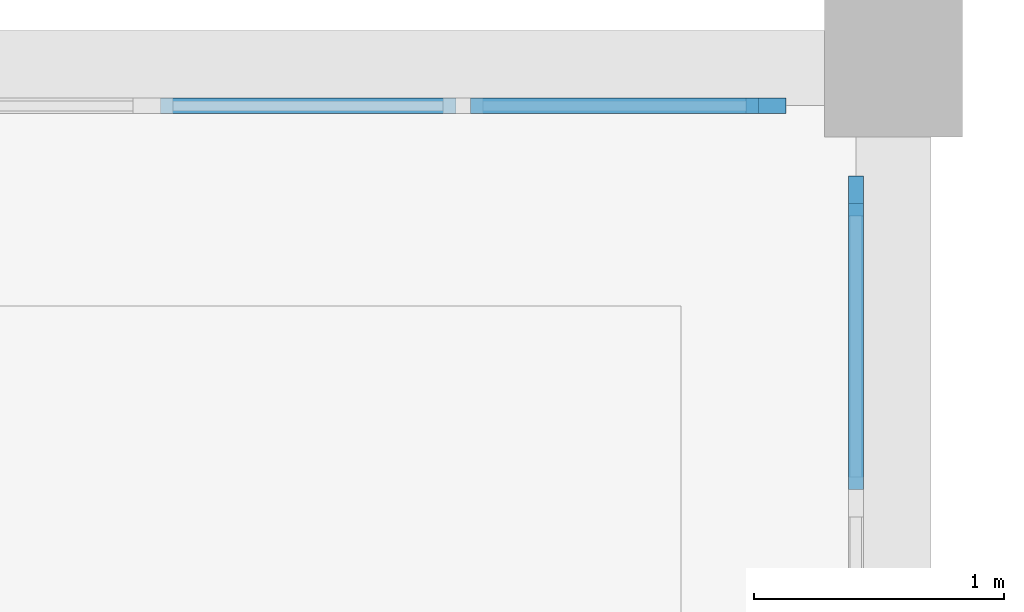
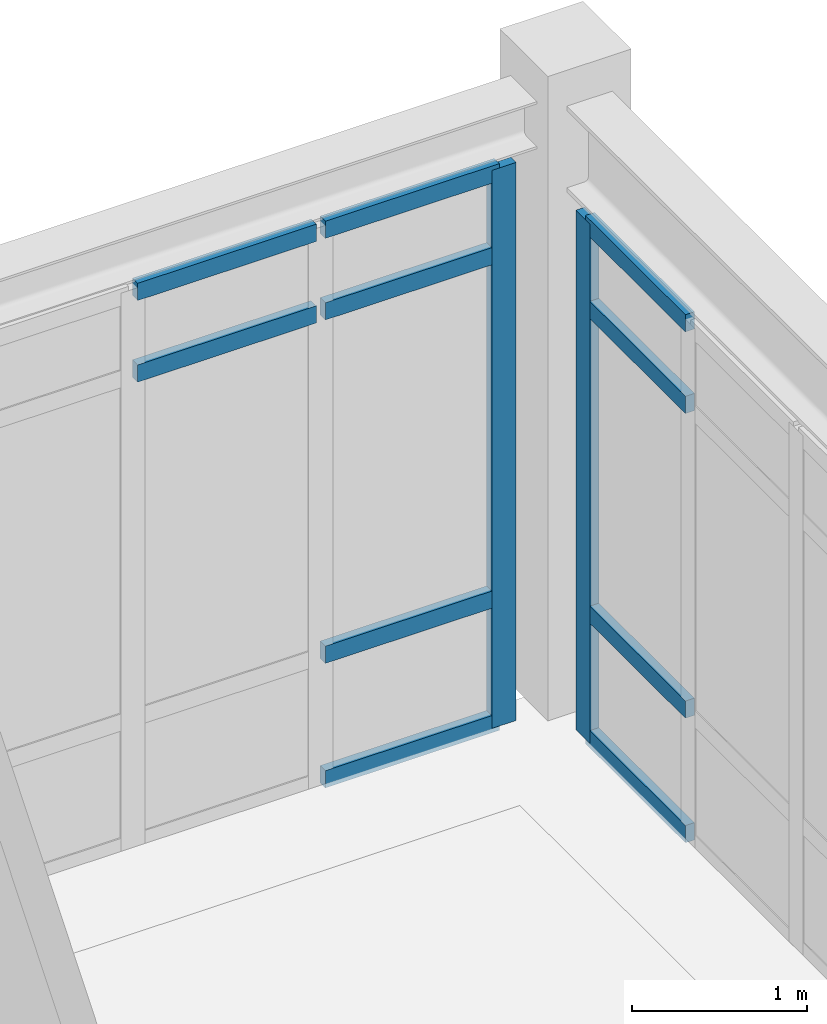
# One storey, part 63 of 106: 12 members, 2 elements without a shape of their own.
"""IFC4 building model written with IfcOpenShell, lengths in metres."""

from ifc_helpers import new_model, si_unit, derived_unit, direction, frame, origin, origin_2d, place, context, subcontext, project, spatial, rectangle, extrude, material, layer, layer_set, material_profile, profile_set, type_object, element, aggregate, save


model = new_model("IFC4")

# Units and contexts
model_context = context("Model", 3, precision=1e-05, world=origin(), true_north=direction((0.0, 1.0)))
body_context = subcontext(model_context, "Body", "Model", "MODEL_VIEW")
ifc_project = project(units=[si_unit("LENGTHUNIT", "METRE"), si_unit("AREAUNIT", "SQUARE_METRE"), si_unit("VOLUMEUNIT", "CUBIC_METRE"), si_unit("PLANEANGLEUNIT", "RADIAN"), si_unit("MASSUNIT", "GRAM", prefix="KILO"), derived_unit("THERMALTRANSMITTANCEUNIT", [(si_unit("POWERUNIT", "WATT"), 1), (si_unit("AREAUNIT", "SQUARE_METRE"), -1), (si_unit("THERMODYNAMICTEMPERATUREUNIT", "KELVIN"), -1)])], contexts=[model_context])

# Site, building, storey
site_placement = place(None, origin())
site = spatial("IfcSite", under=ifc_project, at=site_placement, CompositionType="ELEMENT")
building_placement = place(site_placement, origin())
building = spatial("IfcBuilding", under=site, at=building_placement, Name="Yasenodar Specialist Clinic", CompositionType="ELEMENT")
storey_placement = place(building_placement, frame((0.0, 0.0, 4.5)))
storey = spatial("IfcBuildingStorey", under=building, at=storey_placement, Name="L01", CompositionType="ELEMENT", Elevation=4.5)

# Curtain wall, member
ifc_material_1 = material(Name="Bronze Anodized Aluminium and Triple Low-E Glass", Category="aluminium")
ifc_layer = layer(ifc_material_1, 0.178955078125)
ifc_layer_set = layer_set([ifc_layer], Name="Bronze Anodized Aluminium and Triple Low-E Glass")
curtain_wall_type = type_object("IfcCurtainWallType", Name="CW-SYS-02", PredefinedType="USERDEFINED", material=ifc_layer_set)
curtain_wall_1_placement = place(storey_placement, origin())
curtain_wall_1 = element("IfcCurtainWall", 1, at=curtain_wall_1_placement, inside=storey, type_object=curtain_wall_type, Name="L01 Unitised Curtain Wall 098", ObjectType="UNITISED CURTAIN WALL", PredefinedType="USERDEFINED")
ifc_material_2 = material(Name="Bronze Anodized Aluminium", Category="aluminium")
ifc_material_profile_1 = material_profile(ifc_material_2, rectangle(XDim=0.06005859375, YDim=0.159912109375, at=origin_2d()), Name="CW-MULL 60x160")
ifc_profile_set_1 = profile_set([ifc_material_profile_1], Name="Bronze Anodized Aluminium")
member_type_1 = type_object("IfcMemberType", Name="CW-MULL-160", PredefinedType="MULLION", material=ifc_profile_set_1)
member_1_placement = place(storey_placement, frame((138.090087890625, 34.64990234375, 0.0), z_axis=(0.0, 0.0, 1.0), x_axis=(0.0, 1.0, 0.0)))
member_1 = element("IfcMember", 2, at=member_1_placement, type_object=member_type_1, Name="CW-02 mullion 7", PredefinedType="MULLION", context=body_context, shape_type="SweptSolid", body=[
    extrude(rectangle(XDim=0.06005859375, YDim=0.159912109375, at=origin_2d()), origin(), (0.0, 0.0, 1.0), 3.89794921875),
])

curtain_wall_2_placement = place(storey_placement, origin())
curtain_wall_2 = element("IfcCurtainWall", 3, at=curtain_wall_2_placement, inside=storey, type_object=curtain_wall_type, Name="L01 Unitised Curtain Wall 099", ObjectType="UNITISED CURTAIN WALL", PredefinedType="USERDEFINED")
member_2_placement = place(storey_placement, frame((138.449951171875, 34.2900390625, 0.0), z_axis=(0.0, 0.0, 1.0), x_axis=(1.0, 0.0, 0.0)))
member_2 = element("IfcMember", 4, at=member_2_placement, type_object=member_type_1, Name="CW-02 mullion 1", PredefinedType="MULLION", context=body_context, shape_type="SweptSolid", body=[
    extrude(rectangle(XDim=0.06005859375, YDim=0.159912109375, at=origin_2d()), origin(), (0.0, 0.0, 1.0), 3.6279296875),
])

# Member
ifc_material_profile_2 = material_profile(ifc_material_2, rectangle(XDim=0.06005859375, YDim=0.1201171875, at=origin_2d()), Name="CW-TRAN 60x120")
ifc_profile_set_2 = profile_set([ifc_material_profile_2], Name="Bronze Anodized Aluminium")
member_type_2 = type_object("IfcMemberType", Name="CW-TRAN-120", PredefinedType="USERDEFINED", material=ifc_profile_set_2)
member_3_placement = place(storey_placement, frame((135.669921875, 34.64990234375, 3.298095703125), z_axis=(1.0, 0.0, 0.0), x_axis=(0.0, 1.0, 0.0)))
member_3 = element("IfcMember", 5, at=member_3_placement, type_object=member_type_2, Name="CW-02 transom 5.3", ObjectType="TRANSOM", PredefinedType="USERDEFINED", context=body_context, shape_type="SweptSolid", body=[
    extrude(rectangle(XDim=0.06005859375, YDim=0.1201171875, at=origin_2d()), origin(), (0.0, 0.0, 1.0), 1.18017578125),
])

member_4_placement = place(storey_placement, frame((135.669921875, 34.64990234375, 3.867919921875), z_axis=(1.0, 0.0, 0.0), x_axis=(0.0, 1.0, 0.0)))
member_4 = element("IfcMember", 6, at=member_4_placement, type_object=member_type_2, Name="CW-02 transom 5.4", ObjectType="TRANSOM", PredefinedType="USERDEFINED", context=body_context, shape_type="SweptSolid", body=[
    extrude(rectangle(XDim=0.06005859375, YDim=0.1201171875, at=origin_2d()), origin(), (0.0, 0.0, 1.0), 1.18017578125),
])

member_5_placement = place(storey_placement, frame((136.909912109375, 34.64990234375, 0.030029296875), z_axis=(1.0, 0.0, 0.0), x_axis=(0.0, 1.0, 0.0)))
member_5 = element("IfcMember", 7, at=member_5_placement, type_object=member_type_2, Name="CW-02 transom 6.1", ObjectType="TRANSOM", PredefinedType="USERDEFINED", context=body_context, shape_type="SweptSolid", body=[
    extrude(rectangle(XDim=0.06005859375, YDim=0.1201171875, at=origin_2d()), origin(), (0.0, 0.0, 1.0), 1.150146484375),
])

member_6_placement = place(storey_placement, frame((136.909912109375, 34.64990234375, 0.89990234375), z_axis=(1.0, 0.0, 0.0), x_axis=(0.0, 1.0, 0.0)))
member_6 = element("IfcMember", 8, at=member_6_placement, type_object=member_type_2, Name="CW-02 transom 6.2", ObjectType="TRANSOM", PredefinedType="USERDEFINED", context=body_context, shape_type="SweptSolid", body=[
    extrude(rectangle(XDim=0.06005859375, YDim=0.1201171875, at=origin_2d()), origin(), (0.0, 0.0, 1.0), 1.150146484375),
])

member_7_placement = place(storey_placement, frame((136.909912109375, 34.64990234375, 3.298095703125), z_axis=(1.0, 0.0, 0.0), x_axis=(0.0, 1.0, 0.0)))
member_7 = element("IfcMember", 9, at=member_7_placement, type_object=member_type_2, Name="CW-02 transom 6.3", ObjectType="TRANSOM", PredefinedType="USERDEFINED", context=body_context, shape_type="SweptSolid", body=[
    extrude(rectangle(XDim=0.06005859375, YDim=0.1201171875, at=origin_2d()), origin(), (0.0, 0.0, 1.0), 1.150146484375),
])

member_8_placement = place(storey_placement, frame((136.909912109375, 34.64990234375, 3.867919921875), z_axis=(1.0, 0.0, 0.0), x_axis=(0.0, 1.0, 0.0)))
member_8 = element("IfcMember", 10, at=member_8_placement, type_object=member_type_2, Name="CW-02 transom 6.4", ObjectType="TRANSOM", PredefinedType="USERDEFINED", context=body_context, shape_type="SweptSolid", body=[
    extrude(rectangle(XDim=0.06005859375, YDim=0.1201171875, at=origin_2d()), origin(), (0.0, 0.0, 1.0), 1.150146484375),
])

aggregate(curtain_wall_1, [member_1, member_3, member_4, member_5, member_6, member_7, member_8])

member_9_placement = place(storey_placement, frame((138.449951171875, 34.260009765625, 0.030029296875), z_axis=(0.0, -1.0, 0.0), x_axis=(1.0, 0.0, 0.0)))
member_9 = element("IfcMember", 11, at=member_9_placement, type_object=member_type_2, Name="CW-02 transom 1.1", ObjectType="TRANSOM", PredefinedType="USERDEFINED", context=body_context, shape_type="SweptSolid", body=[
    extrude(rectangle(XDim=0.06005859375, YDim=0.1201171875, at=origin_2d()), origin(), (0.0, 0.0, 1.0), 1.144287109375),
])

member_10_placement = place(storey_placement, frame((138.449951171875, 34.260009765625, 0.89990234375), z_axis=(0.0, -1.0, 0.0), x_axis=(1.0, 0.0, 0.0)))
member_10 = element("IfcMember", 12, at=member_10_placement, type_object=member_type_2, Name="CW-02 transom 1.2", ObjectType="TRANSOM", PredefinedType="USERDEFINED", context=body_context, shape_type="SweptSolid", body=[
    extrude(rectangle(XDim=0.06005859375, YDim=0.1201171875, at=origin_2d()), origin(), (0.0, 0.0, 1.0), 1.144287109375),
])

member_11_placement = place(storey_placement, frame((138.449951171875, 34.260009765625, 3.028076171875), z_axis=(0.0, -1.0, 0.0), x_axis=(1.0, 0.0, 0.0)))
member_11 = element("IfcMember", 13, at=member_11_placement, type_object=member_type_2, Name="CW-02 transom 1.3", ObjectType="TRANSOM", PredefinedType="USERDEFINED", context=body_context, shape_type="SweptSolid", body=[
    extrude(rectangle(XDim=0.06005859375, YDim=0.1201171875, at=origin_2d()), origin(), (0.0, 0.0, 1.0), 1.144287109375),
])

member_12_placement = place(storey_placement, frame((138.449951171875, 34.260009765625, 3.597900390625), z_axis=(0.0, -1.0, 0.0), x_axis=(1.0, 0.0, 0.0)))
member_12 = element("IfcMember", 14, at=member_12_placement, type_object=member_type_2, Name="CW-02 transom 1.4", ObjectType="TRANSOM", PredefinedType="USERDEFINED", context=body_context, shape_type="SweptSolid", body=[
    extrude(rectangle(XDim=0.06005859375, YDim=0.1201171875, at=origin_2d()), origin(), (0.0, 0.0, 1.0), 1.144287109375),
])

aggregate(curtain_wall_2, [member_2, member_9, member_10, member_11, member_12])

save(model, "model.ifc")
